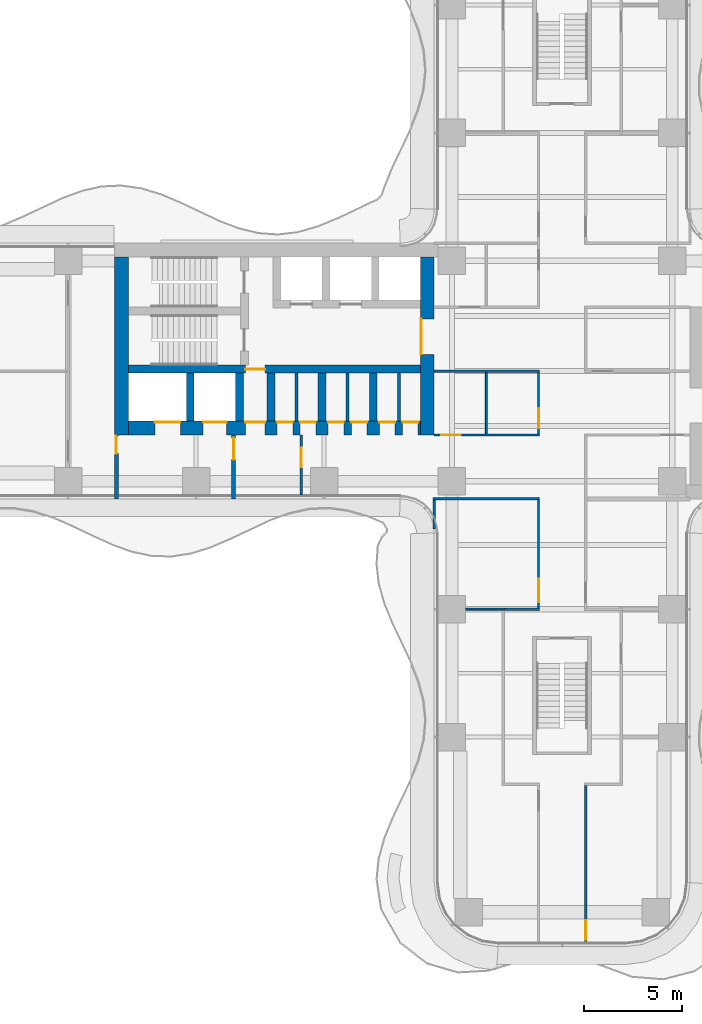
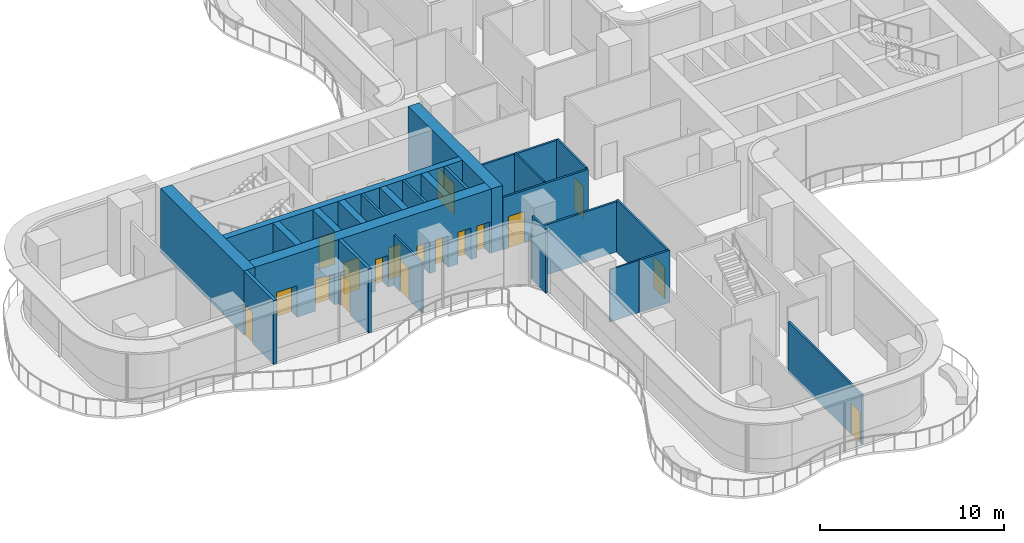
# One storey, part 17 of 23: 25 walls, 18 doors, 18 openings.
"""IFC4 building model written with IfcOpenShell, lengths in metres."""

from ifc_helpers import new_model, si_unit, direction, frame, frame_2d, origin, place, context, subcontext, project, spatial, rectangle, extrude, source, transform, mapped, material, layer, layer_set, type_object, element, fill, save


model = new_model("IFC4")

# Units and contexts
model_context = context("Model", 3, precision=1e-05, world=origin(), true_north=direction((0.0, 1.0)))
body_context = subcontext(model_context, "Body", "Model", "MODEL_VIEW")
ifc_project = project(units=[si_unit("LENGTHUNIT", "METRE"), si_unit("AREAUNIT", "SQUARE_METRE"), si_unit("VOLUMEUNIT", "CUBIC_METRE"), si_unit("PLANEANGLEUNIT", "RADIAN"), si_unit("MASSUNIT", "GRAM", prefix="KILO")], contexts=[model_context])

# Site, building, storey
site_placement = place(None, origin())
site = spatial("IfcSite", under=ifc_project, at=site_placement, CompositionType="ELEMENT")
building_placement = place(site_placement, origin())
building = spatial("IfcBuilding", under=site, at=building_placement, Name="Trellis Farm Tower", CompositionType="ELEMENT")
storey_placement = place(building_placement, frame((0.0, 0.0, 83.5)))
storey = spatial("IfcBuildingStorey", under=building, at=storey_placement, Name="L17", CompositionType="ELEMENT", Elevation=83.5)

# Wall, opening, door
ifc_material_1 = material(Name="Concrete C80/95", Category="concrete")
ifc_layer_1 = layer(ifc_material_1, 0.699951171875)
ifc_layer_set_1 = layer_set([ifc_layer_1], Name="CORE OUTER WALL 700 CONCRETE C80/95")
wall_type_1 = type_object("IfcWallType", Name="CORE OUTER WALL 700 CONCRETE C80/95", PredefinedType="SHEAR", material=ifc_layer_set_1)
shared_shape_1 = source(origin(), body_context, "Body", "SweptSolid", [
    extrude(rectangle(XDim=9.050048828125, YDim=0.699951171875, at=frame_2d((4.52490234375, 0.0))), origin(), (0.0, 0.0, 1.0), 4.25),
])
wall_1_placement = place(storey_placement, frame((-6.85009765625, 5.800048828125, 0.0), z_axis=(0.0, 0.0, 1.0), x_axis=(0.0, -1.0, 0.0)))
wall_1 = element("IfcWall", 1, at=wall_1_placement, inside=storey, type_object=wall_type_1, Name="Core wall", PredefinedType="SHEAR", context=body_context, shape_type="MappedRepresentation", body=[
    mapped(shared_shape_1, transform((0.0, 0.0, 0.0))),
])
shared_shape_2 = source(origin(), body_context, "Body", "SweptSolid", [
    extrude(rectangle(XDim=1.800048828125, YDim=2.10009765625, at=frame_2d((0.89990234375, 1.050048828125))), frame((0.0, 0.360107421875, 0.0), z_axis=(0.0, -1.0, 0.0), x_axis=(1.0, 0.0, 0.0)), (0.0, 0.0, 1.0), 0.72021484375),
])
opening_1_placement = place(wall_1_placement, frame((3.14990234375, 0.0, 0.0)))
opening_1 = element("IfcOpeningElement", 2, at=opening_1_placement, cuts=wall_1, Name="Opening DC87", PredefinedType="OPENING", context=body_context, shape_type="MappedRepresentation", body=[
    mapped(shared_shape_2, transform((0.0, 0.0, 0.0))),
])
ifc_material_2 = material(Name="Steel", Category="steel")
door_type_1 = type_object("IfcDoorType", Name="CORE FIRE DOOR DOUBLE 1800 X 2100", OperationType="DOUBLE_DOOR_SINGLE_SWING", PredefinedType="DOOR", material=ifc_material_2)
shared_shape_3 = source(origin(), body_context, "Body", "SweptSolid", [
    extrude(rectangle(XDim=1.800048828125, YDim=2.10009765625, at=frame_2d((0.89990234375, 1.050048828125))), frame((0.0, -0.27490234375, 0.0), z_axis=(0.0, -1.0, 0.0), x_axis=(1.0, 0.0, 0.0)), (0.0, 0.0, 1.0), 0.050048828125),
])
door_1_placement = place(opening_1_placement, origin())
door_1 = element("IfcDoor", 3, at=door_1_placement, inside=storey, type_object=door_type_1, Name="Core door", OperationType="DOUBLE_DOOR_SINGLE_SWING", OverallHeight=2.10009765625, OverallWidth=1.800048828125, PredefinedType="DOOR", context=body_context, shape_type="MappedRepresentation", body=[
    mapped(shared_shape_3, transform((0.0, 0.0, 0.0))),
])
fill(opening_1, door_1)

# Walls
wall_2_placement = place(storey_placement, frame((-22.39990234375, 5.800048828125, 0.0), z_axis=(0.0, 0.0, 1.0), x_axis=(0.0, -1.0, 0.0)))
element("IfcWall", 4, at=wall_2_placement, inside=storey, type_object=wall_type_1, Name="Core wall", PredefinedType="SHEAR", context=body_context, shape_type="MappedRepresentation", body=[
    mapped(shared_shape_1, transform((0.0, 0.0, 0.0))),
])
ifc_layer_2 = layer(ifc_material_1, 0.39990234375)
ifc_layer_set_2 = layer_set([ifc_layer_2], Name="CORE INNER WALL 400 CONCRETE C80/95")
wall_type_2 = type_object("IfcWallType", Name="CORE INNER WALL 400 CONCRETE C80/95", PredefinedType="SHEAR", material=ifc_layer_set_2)
shared_shape_4 = source(origin(), body_context, "Body", "SweptSolid", [
    extrude(rectangle(XDim=2.449951171875, YDim=0.39990234375, at=frame_2d((1.22509765625, 0.0))), origin(), (0.0, 0.0, 1.0), 4.25),
])
for number, where, z_axis, x_axis, name in (
    (5, (-9.60009765625, -0.10009765625, 0.0), (0.0, 0.0, 1.0), (0.0, -1.0, 0.0), "Core wall"),
    (6, (-12.199951171875, -0.10009765625, 0.0), (0.0, 0.0, 1.0), (0.0, -1.0, 0.0), "Core wall"),
    (7, (-14.800048828125, -0.10009765625, 0.0), (0.0, 0.0, 1.0), (0.0, -1.0, 0.0), "Core wall"),
    (8, (-16.39990234375, -0.10009765625, 0.0), (0.0, 0.0, 1.0), (0.0, -1.0, 0.0), "Core wall"),
    (9, (-18.89990234375, -0.10009765625, 0.0), (0.0, 0.0, 1.0), (0.0, -1.0, 0.0), "Core wall"),
):
    element("IfcWall", number, at=place(storey_placement, frame(where, z_axis=z_axis, x_axis=x_axis)), inside=storey, type_object=wall_type_2, Name=name, PredefinedType="SHEAR", context=body_context, shape_type="MappedRepresentation", body=[
        mapped(shared_shape_4, transform((0.0, 0.0, 0.0))),
    ])

# Wall, opening, door
ifc_material_3 = material(Name="Masonry blockwork", Category="masonry")
ifc_layer_3 = layer(ifc_material_3, 0.199951171875)
ifc_layer_set_3 = layer_set([ifc_layer_3], Name="FIRE LOBBY PARTITION 200 BLOCKWORK")
wall_type_3 = type_object("IfcWallType", Name="FIRE LOBBY PARTITION 200 BLOCKWORK", PredefinedType="PARTITIONING", material=ifc_layer_set_3)
shared_shape_5 = source(origin(), body_context, "Body", "SweptSolid", [
    extrude(rectangle(XDim=3.25, YDim=0.199951171875, at=frame_2d((1.625, 0.0))), origin(), (0.0, 0.0, 1.0), 4.25),
])
wall_3_placement = place(storey_placement, frame((-16.699951171875, -3.25, 0.0), z_axis=(0.0, 0.0, 1.0), x_axis=(0.0, -1.0, 0.0)))
wall_3 = element("IfcWall", 10, at=wall_3_placement, inside=storey, type_object=wall_type_3, Name="Fire-fighting lobby partition", PredefinedType="PARTITIONING", context=body_context, shape_type="MappedRepresentation", body=[
    mapped(shared_shape_5, transform((0.0, 0.0, 0.0))),
])
shared_shape_6 = source(origin(), body_context, "Body", "SweptSolid", [
    extrude(rectangle(XDim=1.10009765625, YDim=2.10009765625, at=frame_2d((0.550048828125, 1.050048828125))), frame((0.0, 0.110107421875, 0.0), z_axis=(0.0, -1.0, 0.0), x_axis=(1.0, 0.0, 0.0)), (0.0, 0.0, 1.0), 0.22021484375),
])
opening_2_placement = place(wall_3_placement, frame((0.14990234375, 0.0, 0.0)))
opening_2 = element("IfcOpeningElement", 11, at=opening_2_placement, cuts=wall_3, Name="Opening DC93", PredefinedType="OPENING", context=body_context, shape_type="MappedRepresentation", body=[
    mapped(shared_shape_6, transform((0.0, 0.0, 0.0))),
])
door_type_2 = type_object("IfcDoorType", Name="CORE FIRE DOOR 1100 X 2100", OperationType="NOTDEFINED", PredefinedType="DOOR", material=ifc_material_2)
shared_shape_7 = source(origin(), body_context, "Body", "SweptSolid", [
    extrude(rectangle(XDim=1.10009765625, YDim=2.10009765625, at=frame_2d((0.550048828125, 1.050048828125))), frame((0.0, 0.02490234375, 0.0), z_axis=(0.0, -1.0, 0.0), x_axis=(1.0, 0.0, 0.0)), (0.0, 0.0, 1.0), 0.050048828125),
])
door_2_placement = place(opening_2_placement, origin())
door_2 = element("IfcDoor", 12, at=door_2_placement, inside=storey, type_object=door_type_2, Name="Core door", OperationType="SINGLE_SWING_RIGHT", OverallHeight=2.10009765625, OverallWidth=1.10009765625, PredefinedType="DOOR", context=body_context, shape_type="MappedRepresentation", body=[
    mapped(shared_shape_7, transform((0.0, 0.0, 0.0))),
])
fill(opening_2, door_2)

wall_4_placement = place(storey_placement, frame((-22.64990234375, -3.25, 0.0), z_axis=(0.0, 0.0, 1.0), x_axis=(0.0, -1.0, 0.0)))
wall_4 = element("IfcWall", 13, at=wall_4_placement, inside=storey, type_object=wall_type_3, Name="Fire-fighting lobby partition", PredefinedType="PARTITIONING", context=body_context, shape_type="MappedRepresentation", body=[
    mapped(shared_shape_5, transform((0.0, 0.0, 0.0))),
])
shared_shape_8 = source(origin(), body_context, "Body", "SweptSolid", [
    extrude(rectangle(XDim=0.89990234375, YDim=2.10009765625, at=frame_2d((0.449951171875, 1.050048828125))), frame((0.0, 0.110107421875, 0.0), z_axis=(0.0, -1.0, 0.0), x_axis=(1.0, 0.0, 0.0)), (0.0, 0.0, 1.0), 0.22021484375),
])
opening_3_placement = place(wall_4_placement, frame((0.050048828125, 0.0, 0.0)))
opening_3 = element("IfcOpeningElement", 14, at=opening_3_placement, cuts=wall_4, Name="Opening DC94", PredefinedType="OPENING", context=body_context, shape_type="MappedRepresentation", body=[
    mapped(shared_shape_8, transform((0.0, 0.0, 0.0))),
])
door_type_3 = type_object("IfcDoorType", Name="CORE FIRE DOOR 900 X 2100", OperationType="NOTDEFINED", PredefinedType="DOOR", material=ifc_material_2)
shared_shape_9 = source(origin(), body_context, "Body", "SweptSolid", [
    extrude(rectangle(XDim=0.89990234375, YDim=2.10009765625, at=frame_2d((0.449951171875, 1.050048828125))), frame((0.0, 0.02490234375, 0.0), z_axis=(0.0, -1.0, 0.0), x_axis=(1.0, 0.0, 0.0)), (0.0, 0.0, 1.0), 0.050048828125),
])
door_3_placement = place(opening_3_placement, origin())
door_3 = element("IfcDoor", 15, at=door_3_placement, inside=storey, type_object=door_type_3, Name="Core door", OperationType="SINGLE_SWING_RIGHT", OverallHeight=2.10009765625, OverallWidth=0.89990234375, PredefinedType="DOOR", context=body_context, shape_type="MappedRepresentation", body=[
    mapped(shared_shape_9, transform((0.0, 0.0, 0.0))),
])
fill(opening_3, door_3)

# Wall, openings, doors
shared_shape_10 = source(origin(), body_context, "Body", "SweptSolid", [
    extrude(rectangle(XDim=14.85009765625, YDim=0.699951171875, at=frame_2d((7.425048828125, 0.0))), origin(), (0.0, 0.0, 1.0), 4.25),
])
wall_5_placement = place(storey_placement, frame((-7.199951171875, -2.89990234375, 0.0), z_axis=(0.0, 0.0, 1.0), x_axis=(-1.0, 0.0, 0.0)))
wall_5 = element("IfcWall", 16, at=wall_5_placement, inside=storey, type_object=wall_type_1, Name="Core wall", PredefinedType="SHEAR", context=body_context, shape_type="MappedRepresentation", body=[
    mapped(shared_shape_10, transform((0.0, 0.0, 0.0))),
])
shared_shape_11 = source(origin(), body_context, "Body", "SweptSolid", [
    extrude(rectangle(XDim=1.300048828125, YDim=2.10009765625, at=frame_2d((0.64990234375, 1.050048828125))), frame((0.0, 0.360107421875, 0.0), z_axis=(0.0, -1.0, 0.0), x_axis=(1.0, 0.0, 0.0)), (0.0, 0.0, 1.0), 0.72021484375),
])
opening_4_placement = place(wall_5_placement, frame((12.199951171875, 0.0, 0.0)))
opening_4 = element("IfcOpeningElement", 17, at=opening_4_placement, cuts=wall_5, Name="Opening LD15", PredefinedType="OPENING", context=body_context, shape_type="MappedRepresentation", body=[
    mapped(shared_shape_11, transform((0.0, 0.0, 0.0))),
])
shared_shape_12 = source(origin(), body_context, "Body", "SweptSolid", [
    extrude(rectangle(XDim=1.199951171875, YDim=2.10009765625, at=frame_2d((0.60009765625, 1.050048828125))), frame((0.0, 0.360107421875, 0.0), z_axis=(0.0, -1.0, 0.0), x_axis=(1.0, 0.0, 0.0)), (0.0, 0.0, 1.0), 0.72021484375),
])
opening_5_placement = place(wall_5_placement, frame((9.85009765625, 0.0, 0.0)))
opening_5 = element("IfcOpeningElement", 18, at=opening_5_placement, cuts=wall_5, Name="Opening LD16", PredefinedType="OPENING", context=body_context, shape_type="MappedRepresentation", body=[
    mapped(shared_shape_12, transform((0.0, 0.0, 0.0))),
])
shared_shape_13 = source(origin(), body_context, "Body", "SweptSolid", [
    extrude(rectangle(XDim=1.0, YDim=2.10009765625, at=frame_2d((0.5, 1.050048828125))), frame((0.0, 0.360107421875, 0.0), z_axis=(0.0, -1.0, 0.0), x_axis=(1.0, 0.0, 0.0)), (0.0, 0.0, 1.0), 0.72021484375),
])
opening_6_placement = place(wall_5_placement, frame((7.89990234375, 0.0, 0.0)))
opening_6 = element("IfcOpeningElement", 19, at=opening_6_placement, cuts=wall_5, Name="Opening DC92", PredefinedType="OPENING", context=body_context, shape_type="MappedRepresentation", body=[
    mapped(shared_shape_13, transform((0.0, 0.0, 0.0))),
])
shared_shape_14 = source(origin(), body_context, "Body", "SweptSolid", [
    extrude(rectangle(XDim=0.800048828125, YDim=2.10009765625, at=frame_2d((0.39990234375, 1.050048828125))), frame((0.0, 0.360107421875, 0.0), z_axis=(0.0, -1.0, 0.0), x_axis=(1.0, 0.0, 0.0)), (0.0, 0.0, 1.0), 0.72021484375),
])
opening_7_placement = place(wall_5_placement, frame((0.112548828125, 0.0, 0.0)))
opening_7 = element("IfcOpeningElement", 20, at=opening_7_placement, cuts=wall_5, Name="Opening DC95", PredefinedType="OPENING", context=body_context, shape_type="MappedRepresentation", body=[
    mapped(shared_shape_14, transform((0.0, 0.0, 0.0))),
])
opening_8_placement = place(wall_5_placement, frame((1.28759765625, 0.0, 0.0)))
opening_8 = element("IfcOpeningElement", 21, at=opening_8_placement, cuts=wall_5, Name="Opening DC102", PredefinedType="OPENING", context=body_context, shape_type="MappedRepresentation", body=[
    mapped(shared_shape_14, transform((0.0, 0.0, 0.0))),
])
opening_9_placement = place(wall_5_placement, frame((2.71240234375, 0.0, 0.0)))
opening_9 = element("IfcOpeningElement", 22, at=opening_9_placement, cuts=wall_5, Name="Opening DC107", PredefinedType="OPENING", context=body_context, shape_type="MappedRepresentation", body=[
    mapped(shared_shape_14, transform((0.0, 0.0, 0.0))),
])
opening_10_placement = place(wall_5_placement, frame((3.887451171875, 0.0, 0.0)))
opening_10 = element("IfcOpeningElement", 23, at=opening_10_placement, cuts=wall_5, Name="Opening DC114", PredefinedType="OPENING", context=body_context, shape_type="MappedRepresentation", body=[
    mapped(shared_shape_14, transform((0.0, 0.0, 0.0))),
])
opening_11_placement = place(wall_5_placement, frame((5.3125, 0.0, 0.0)))
opening_11 = element("IfcOpeningElement", 24, at=opening_11_placement, cuts=wall_5, Name="Opening DC119", PredefinedType="OPENING", context=body_context, shape_type="MappedRepresentation", body=[
    mapped(shared_shape_14, transform((0.0, 0.0, 0.0))),
])
opening_12_placement = place(wall_5_placement, frame((6.487548828125, 0.0, 0.0)))
opening_12 = element("IfcOpeningElement", 25, at=opening_12_placement, cuts=wall_5, Name="Opening DC126", PredefinedType="OPENING", context=body_context, shape_type="MappedRepresentation", body=[
    mapped(shared_shape_14, transform((0.0, 0.0, 0.0))),
])
door_type_4 = type_object("IfcDoorType", Name="CORE FIRE DOOR 1000 X 2100", OperationType="NOTDEFINED", PredefinedType="DOOR", material=ifc_material_2)
shared_shape_15 = source(origin(), body_context, "Body", "SweptSolid", [
    extrude(rectangle(XDim=1.0, YDim=2.10009765625, at=frame_2d((0.5, 1.050048828125))), frame((0.0, -0.27490234375, 0.0), z_axis=(0.0, -1.0, 0.0), x_axis=(1.0, 0.0, 0.0)), (0.0, 0.0, 1.0), 0.050048828125),
])
door_4_placement = place(opening_6_placement, origin())
door_4 = element("IfcDoor", 26, at=door_4_placement, inside=storey, type_object=door_type_4, Name="Core door", OperationType="SINGLE_SWING_LEFT", OverallHeight=2.10009765625, OverallWidth=1.0, PredefinedType="DOOR", context=body_context, shape_type="MappedRepresentation", body=[
    mapped(shared_shape_15, transform((0.0, 0.0, 0.0))),
])
fill(opening_6, door_4)
ifc_material_4 = material(Name="Stainless steel", Category="steel")
door_type_5 = type_object("IfcDoorType", Name="LIFT LANDING DOOR 1300 X 2100", OperationType="DOUBLE_DOOR_SLIDING", PredefinedType="DOOR", material=ifc_material_4)
shared_shape_16 = source(origin(), body_context, "Body", "SweptSolid", [
    extrude(rectangle(XDim=1.300048828125, YDim=2.10009765625, at=frame_2d((0.64990234375, 1.050048828125))), frame((0.0, -0.27490234375, 0.0), z_axis=(0.0, -1.0, 0.0), x_axis=(1.0, 0.0, 0.0)), (0.0, 0.0, 1.0), 0.050048828125),
])
door_5_placement = place(opening_4_placement, origin())
door_5 = element("IfcDoor", 27, at=door_5_placement, inside=storey, type_object=door_type_5, Name="Lift landing door", OperationType="DOUBLE_DOOR_SLIDING", OverallHeight=2.10009765625, OverallWidth=1.300048828125, PredefinedType="DOOR", context=body_context, shape_type="MappedRepresentation", body=[
    mapped(shared_shape_16, transform((0.0, 0.0, 0.0))),
])
fill(opening_4, door_5)
door_type_6 = type_object("IfcDoorType", Name="LIFT LANDING DOOR 1200 X 2100", OperationType="DOUBLE_DOOR_SLIDING", PredefinedType="DOOR", material=ifc_material_4)
shared_shape_17 = source(origin(), body_context, "Body", "SweptSolid", [
    extrude(rectangle(XDim=1.199951171875, YDim=2.10009765625, at=frame_2d((0.60009765625, 1.050048828125))), frame((0.0, -0.27490234375, 0.0), z_axis=(0.0, -1.0, 0.0), x_axis=(1.0, 0.0, 0.0)), (0.0, 0.0, 1.0), 0.050048828125),
])
door_6_placement = place(opening_5_placement, origin())
door_6 = element("IfcDoor", 28, at=door_6_placement, inside=storey, type_object=door_type_6, Name="Lift landing door", OperationType="DOUBLE_DOOR_SLIDING", OverallHeight=2.10009765625, OverallWidth=1.199951171875, PredefinedType="DOOR", context=body_context, shape_type="MappedRepresentation", body=[
    mapped(shared_shape_17, transform((0.0, 0.0, 0.0))),
])
fill(opening_5, door_6)
door_type_7 = type_object("IfcDoorType", Name="CORE FIRE DOOR 800 X 2100", OperationType="NOTDEFINED", PredefinedType="DOOR", material=ifc_material_2)
shared_shape_18 = source(origin(), body_context, "Body", "SweptSolid", [
    extrude(rectangle(XDim=0.800048828125, YDim=2.10009765625, at=frame_2d((0.39990234375, 1.050048828125))), frame((0.0, -0.27490234375, 0.0), z_axis=(0.0, -1.0, 0.0), x_axis=(1.0, 0.0, 0.0)), (0.0, 0.0, 1.0), 0.050048828125),
])
door_7_placement = place(opening_7_placement, origin())
door_7 = element("IfcDoor", 29, at=door_7_placement, inside=storey, type_object=door_type_7, Name="Core door", OperationType="SINGLE_SWING_LEFT", OverallHeight=2.10009765625, OverallWidth=0.800048828125, PredefinedType="DOOR", context=body_context, shape_type="MappedRepresentation", body=[
    mapped(shared_shape_18, transform((0.0, 0.0, 0.0))),
])
fill(opening_7, door_7)
door_8_placement = place(opening_8_placement, origin())
door_8 = element("IfcDoor", 30, at=door_8_placement, inside=storey, type_object=door_type_7, Name="Core door", OperationType="SINGLE_SWING_RIGHT", OverallHeight=2.10009765625, OverallWidth=0.800048828125, PredefinedType="DOOR", context=body_context, shape_type="MappedRepresentation", body=[
    mapped(shared_shape_18, transform((0.0, 0.0, 0.0))),
])
fill(opening_8, door_8)
door_9_placement = place(opening_9_placement, origin())
door_9 = element("IfcDoor", 31, at=door_9_placement, inside=storey, type_object=door_type_7, Name="Core door", OperationType="SINGLE_SWING_LEFT", OverallHeight=2.10009765625, OverallWidth=0.800048828125, PredefinedType="DOOR", context=body_context, shape_type="MappedRepresentation", body=[
    mapped(shared_shape_18, transform((0.0, 0.0, 0.0))),
])
fill(opening_9, door_9)
door_10_placement = place(opening_10_placement, origin())
door_10 = element("IfcDoor", 32, at=door_10_placement, inside=storey, type_object=door_type_7, Name="Core door", OperationType="SINGLE_SWING_RIGHT", OverallHeight=2.10009765625, OverallWidth=0.800048828125, PredefinedType="DOOR", context=body_context, shape_type="MappedRepresentation", body=[
    mapped(shared_shape_18, transform((0.0, 0.0, 0.0))),
])
fill(opening_10, door_10)
door_11_placement = place(opening_11_placement, origin())
door_11 = element("IfcDoor", 33, at=door_11_placement, inside=storey, type_object=door_type_7, Name="Core door", OperationType="SINGLE_SWING_LEFT", OverallHeight=2.10009765625, OverallWidth=0.800048828125, PredefinedType="DOOR", context=body_context, shape_type="MappedRepresentation", body=[
    mapped(shared_shape_18, transform((0.0, 0.0, 0.0))),
])
fill(opening_11, door_11)
door_12_placement = place(opening_12_placement, origin())
door_12 = element("IfcDoor", 34, at=door_12_placement, inside=storey, type_object=door_type_7, Name="Core door", OperationType="SINGLE_SWING_RIGHT", OverallHeight=2.10009765625, OverallWidth=0.800048828125, PredefinedType="DOOR", context=body_context, shape_type="MappedRepresentation", body=[
    mapped(shared_shape_18, transform((0.0, 0.0, 0.0))),
])
fill(opening_12, door_12)

# Wall, opening, door
shared_shape_19 = source(origin(), body_context, "Body", "SweptSolid", [
    extrude(rectangle(XDim=14.85009765625, YDim=0.39990234375, at=frame_2d((7.425048828125, 0.0))), origin(), (0.0, 0.0, 1.0), 4.25),
])
wall_6_placement = place(storey_placement, frame((-7.199951171875, 0.10009765625, 0.0), z_axis=(0.0, 0.0, 1.0), x_axis=(-1.0, 0.0, 0.0)))
wall_6 = element("IfcWall", 35, at=wall_6_placement, inside=storey, type_object=wall_type_2, Name="Core wall", PredefinedType="SHEAR", context=body_context, shape_type="MappedRepresentation", body=[
    mapped(shared_shape_19, transform((0.0, 0.0, 0.0))),
])
shared_shape_20 = source(origin(), body_context, "Body", "SweptSolid", [
    extrude(rectangle(XDim=1.0, YDim=2.10009765625, at=frame_2d((0.5, 1.050048828125))), frame((0.0, 0.2099609375, 0.0), z_axis=(0.0, -1.0, 0.0), x_axis=(1.0, 0.0, 0.0)), (0.0, 0.0, 1.0), 0.419921875),
])
opening_13_placement = place(wall_6_placement, frame((7.89990234375, 0.0, 0.0)))
opening_13 = element("IfcOpeningElement", 36, at=opening_13_placement, cuts=wall_6, Name="Opening DC91", PredefinedType="OPENING", context=body_context, shape_type="MappedRepresentation", body=[
    mapped(shared_shape_20, transform((0.0, 0.0, 0.0))),
])
shared_shape_21 = source(origin(), body_context, "Body", "SweptSolid", [
    extrude(rectangle(XDim=1.0, YDim=2.10009765625, at=frame_2d((0.5, 1.050048828125))), frame((0.0, 0.02490234375, 0.0), z_axis=(0.0, -1.0, 0.0), x_axis=(1.0, 0.0, 0.0)), (0.0, 0.0, 1.0), 0.050048828125),
])
door_13_placement = place(opening_13_placement, origin())
door_13 = element("IfcDoor", 37, at=door_13_placement, inside=storey, type_object=door_type_4, Name="Core door", OperationType="SINGLE_SWING_RIGHT", OverallHeight=2.10009765625, OverallWidth=1.0, PredefinedType="DOOR", context=body_context, shape_type="MappedRepresentation", body=[
    mapped(shared_shape_21, transform((0.0, 0.0, 0.0))),
])
fill(opening_13, door_13)

# Walls
ifc_layer_4 = layer(ifc_material_3, 0.14990234375)
ifc_layer_set_4 = layer_set([ifc_layer_4], Name="CORE PARTITION 150 BLOCKWORK")
wall_type_4 = type_object("IfcWallType", Name="CORE PARTITION 150 BLOCKWORK", PredefinedType="PARTITIONING", material=ifc_layer_set_4)
shared_shape_22 = source(origin(), body_context, "Body", "SweptSolid", [
    extrude(rectangle(XDim=2.449951171875, YDim=0.14990234375, at=frame_2d((1.22509765625, 0.0))), origin(), (0.0, 0.0, 1.0), 4.25),
])
for number, where, z_axis, x_axis, name in (
    (38, (-8.300048828125, -0.10009765625, 0.0), (0.0, 0.0, 1.0), (0.0, -1.0, 0.0), "Core room partition"),
    (39, (-10.89990234375, -0.10009765625, 0.0), (0.0, 0.0, 1.0), (0.0, -1.0, 0.0), "Core room partition"),
    (40, (-13.5, -0.10009765625, 0.0), (0.0, 0.0, 1.0), (0.0, -1.0, 0.0), "Core room partition"),
):
    element("IfcWall", number, at=place(storey_placement, frame(where, z_axis=z_axis, x_axis=x_axis)), inside=storey, type_object=wall_type_4, Name=name, PredefinedType="PARTITIONING", context=body_context, shape_type="MappedRepresentation", body=[
        mapped(shared_shape_22, transform((0.0, 0.0, 0.0))),
    ])

# Wall, opening, door
ifc_material_5 = material(Name="Plasterboard on steel studs, mineral wool", Category="steel")
ifc_layer_5 = layer(ifc_material_5, 0.125)
ifc_layer_set_5 = layer_set([ifc_layer_5], Name="PARTITION 125 STUD EI 60")
wall_type_5 = type_object("IfcWallType", Name="PARTITION 125 STUD EI 60", PredefinedType="PARTITIONING", material=ifc_layer_set_5)
shared_shape_23 = source(origin(), body_context, "Body", "SweptSolid", [
    extrude(rectangle(XDim=3.125, YDim=0.125, at=frame_2d((1.5625, 0.0))), origin(), (0.0, 0.0, 1.0), 3.54638671875),
])
wall_7_placement = place(storey_placement, frame((-1.199951171875, -0.0625, 0.0), z_axis=(0.0, 0.0, 1.0), x_axis=(0.0, -1.0, 0.0)))
wall_7 = element("IfcWall", 41, at=wall_7_placement, inside=storey, type_object=wall_type_5, Name="Partition PW1", PredefinedType="PARTITIONING", context=body_context, shape_type="MappedRepresentation", body=[
    mapped(shared_shape_23, transform((0.0, 0.0, 0.0))),
])
shared_shape_24 = source(origin(), body_context, "Body", "SweptSolid", [
    extrude(rectangle(XDim=1.0, YDim=2.10009765625, at=frame_2d((0.5, 1.050048828125))), frame((0.0, 0.072509765625, 0.0), z_axis=(0.0, -1.0, 0.0), x_axis=(1.0, 0.0, 0.0)), (0.0, 0.0, 1.0), 0.14501953125),
])
opening_14_placement = place(wall_7_placement, frame((1.83740234375, 0.0, 0.0)))
opening_14 = element("IfcOpeningElement", 42, at=opening_14_placement, cuts=wall_7, Name="Opening D105", PredefinedType="OPENING", context=body_context, shape_type="MappedRepresentation", body=[
    mapped(shared_shape_24, transform((0.0, 0.0, 0.0))),
])
ifc_material_6 = material(Name="Fire-rated timber door leaf in a hollow metal frame", Category="wood")
door_type_8 = type_object("IfcDoorType", Name="DOOR 1000x2100 FD30S", OperationType="NOTDEFINED", PredefinedType="DOOR", material=ifc_material_6)
door_14_placement = place(opening_14_placement, origin())
door_14 = element("IfcDoor", 43, at=door_14_placement, inside=storey, type_object=door_type_8, Name="Door D105", OperationType="SINGLE_SWING_RIGHT", OverallHeight=2.10009765625, OverallWidth=1.0, PredefinedType="DOOR", context=body_context, shape_type="MappedRepresentation", body=[
    mapped(shared_shape_21, transform((0.0, 0.0, 0.0))),
])
fill(opening_14, door_14)

shared_shape_25 = source(origin(), body_context, "Body", "SweptSolid", [
    extrude(rectangle(XDim=5.47509765625, YDim=0.125, at=frame_2d((2.737548828125, 0.0))), origin(), (0.0, 0.0, 1.0), 3.4677734375),
])
wall_8_placement = place(storey_placement, frame((-1.199951171875, -6.5625, 0.0), z_axis=(0.0, 0.0, 1.0), x_axis=(0.0, -1.0, 0.0)))
wall_8 = element("IfcWall", 44, at=wall_8_placement, inside=storey, type_object=wall_type_5, Name="Partition PW1", PredefinedType="PARTITIONING", context=body_context, shape_type="MappedRepresentation", body=[
    mapped(shared_shape_25, transform((0.0, 0.0, 0.0))),
])
shared_shape_26 = source(origin(), body_context, "Body", "SweptSolid", [
    extrude(rectangle(XDim=1.199951171875, YDim=2.10009765625, at=frame_2d((0.60009765625, 1.050048828125))), frame((0.0, 0.072509765625, 0.0), z_axis=(0.0, -1.0, 0.0), x_axis=(1.0, 0.0, 0.0)), (0.0, 0.0, 1.0), 0.14501953125),
])
opening_15_placement = place(wall_8_placement, frame((3.987548828125, 0.0, 0.0)))
opening_15 = element("IfcOpeningElement", 45, at=opening_15_placement, cuts=wall_8, Name="Opening D601", PredefinedType="OPENING", context=body_context, shape_type="MappedRepresentation", body=[
    mapped(shared_shape_26, transform((0.0, 0.0, 0.0))),
])
door_type_9 = type_object("IfcDoorType", Name="DOOR 1200x2100 FD30S", OperationType="NOTDEFINED", PredefinedType="DOOR", material=ifc_material_6)
shared_shape_27 = source(origin(), body_context, "Body", "SweptSolid", [
    extrude(rectangle(XDim=1.199951171875, YDim=2.10009765625, at=frame_2d((0.60009765625, 1.050048828125))), frame((0.0, 0.02490234375, 0.0), z_axis=(0.0, -1.0, 0.0), x_axis=(1.0, 0.0, 0.0)), (0.0, 0.0, 1.0), 0.050048828125),
])
door_15_placement = place(opening_15_placement, origin())
door_15 = element("IfcDoor", 46, at=door_15_placement, inside=storey, type_object=door_type_9, Name="Door D601", OperationType="SINGLE_SWING_RIGHT", OverallHeight=2.10009765625, OverallWidth=1.199951171875, PredefinedType="DOOR", context=body_context, shape_type="MappedRepresentation", body=[
    mapped(shared_shape_27, transform((0.0, 0.0, 0.0))),
])
fill(opening_15, door_15)

# Walls
shared_shape_28 = source(origin(), body_context, "Body", "SweptSolid", [
    extrude(rectangle(XDim=1.468994140625, YDim=0.125, at=frame_2d((0.734375, 0.0))), origin(), (0.0, 0.0, 1.0), 4.25),
])
wall_9_placement = place(storey_placement, frame((-6.5, -6.5625, 0.0), z_axis=(0.0, 0.0, 1.0), x_axis=(0.0, -1.0, 0.0)))
element("IfcWall", 47, at=wall_9_placement, inside=storey, type_object=wall_type_5, Name="Partition PW1", PredefinedType="PARTITIONING", context=body_context, shape_type="MappedRepresentation", body=[
    mapped(shared_shape_28, transform((0.0, 0.0, 0.0))),
])
shared_shape_29 = source(origin(), body_context, "Body", "SweptSolid", [
    extrude(rectangle(XDim=1.925048828125, YDim=0.125, at=frame_2d((0.96240234375, 0.0))), origin(), (0.0, 0.0, 1.0), 3.4677734375),
])
wall_10_placement = place(storey_placement, frame((-3.0625, -12.10009765625, 0.0), z_axis=(0.0, 0.0, 1.0), x_axis=(1.0, 0.0, 0.0)))
element("IfcWall", 48, at=wall_10_placement, inside=storey, type_object=wall_type_5, Name="Partition PW1", PredefinedType="PARTITIONING", context=body_context, shape_type="MappedRepresentation", body=[
    mapped(shared_shape_29, transform((0.0, 0.0, 0.0))),
])

# Wall, opening, door
shared_shape_30 = source(origin(), body_context, "Body", "SweptSolid", [
    extrude(rectangle(XDim=5.362548828125, YDim=0.125, at=frame_2d((2.68115234375, 0.0))), origin(), (0.0, 0.0, 1.0), 3.4677734375),
])
wall_11_placement = place(storey_placement, frame((-1.137451171875, -3.25, 0.0), z_axis=(0.0, 0.0, 1.0), x_axis=(-1.0, 0.0, 0.0)))
wall_11 = element("IfcWall", 49, at=wall_11_placement, inside=storey, type_object=wall_type_5, Name="Partition PW1", PredefinedType="PARTITIONING", context=body_context, shape_type="MappedRepresentation", body=[
    mapped(shared_shape_30, transform((0.0, 0.0, 0.0))),
])
opening_16_placement = place(wall_11_placement, frame((4.012451171875, 0.0, 0.0)))
opening_16 = element("IfcOpeningElement", 50, at=opening_16_placement, cuts=wall_11, Name="Opening D104", PredefinedType="OPENING", context=body_context, shape_type="MappedRepresentation", body=[
    mapped(shared_shape_24, transform((0.0, 0.0, 0.0))),
])
door_16_placement = place(opening_16_placement, origin())
door_16 = element("IfcDoor", 51, at=door_16_placement, inside=storey, type_object=door_type_8, Name="Door D104", OperationType="SINGLE_SWING_RIGHT", OverallHeight=2.10009765625, OverallWidth=1.0, PredefinedType="DOOR", context=body_context, shape_type="MappedRepresentation", body=[
    mapped(shared_shape_21, transform((0.0, 0.0, 0.0))),
])
fill(opening_16, door_16)

# Walls
wall_12_placement = place(storey_placement, frame((-1.137451171875, 0.0, 0.0), z_axis=(0.0, 0.0, 1.0), x_axis=(-1.0, 0.0, 0.0)))
element("IfcWall", 52, at=wall_12_placement, inside=storey, type_object=wall_type_5, Name="Partition PW1", PredefinedType="PARTITIONING", context=body_context, shape_type="MappedRepresentation", body=[
    mapped(shared_shape_30, transform((0.0, 0.0, 0.0))),
])
shared_shape_31 = source(origin(), body_context, "Body", "SweptSolid", [
    extrude(rectangle(XDim=5.425048828125, YDim=0.125, at=frame_2d((2.71240234375, 0.0))), origin(), (0.0, 0.0, 1.0), 3.330078125),
])
wall_13_placement = place(storey_placement, frame((-1.137451171875, -6.5, 0.0), z_axis=(0.0, 0.0, 1.0), x_axis=(-1.0, 0.0, 0.0)))
element("IfcWall", 53, at=wall_13_placement, inside=storey, type_object=wall_type_5, Name="Partition PW1", PredefinedType="PARTITIONING", context=body_context, shape_type="MappedRepresentation", body=[
    mapped(shared_shape_31, transform((0.0, 0.0, 0.0))),
])
ifc_material_7 = material(Name="Plasterboard on steel studs", Category="steel")
ifc_layer_6 = layer(ifc_material_7, 0.10009765625)
ifc_layer_set_6 = layer_set([ifc_layer_6], Name="PARTITION 100 STUD EI 30")
wall_type_6 = type_object("IfcWallType", Name="PARTITION 100 STUD EI 30", PredefinedType="PARTITIONING", material=ifc_layer_set_6)
shared_shape_32 = source(origin(), body_context, "Body", "SweptSolid", [
    extrude(rectangle(XDim=3.125, YDim=0.10009765625, at=frame_2d((1.5625, 0.0))), origin(), (0.0, 0.0, 1.0), 3.54638671875),
])
wall_14_placement = place(storey_placement, frame((-3.85009765625, -3.1875, 0.0), z_axis=(0.0, 0.0, 1.0), x_axis=(0.0, 1.0, 0.0)))
element("IfcWall", 54, at=wall_14_placement, inside=storey, type_object=wall_type_6, Name="Partition PW2", PredefinedType="PARTITIONING", context=body_context, shape_type="MappedRepresentation", body=[
    mapped(shared_shape_32, transform((0.0, 0.0, 0.0))),
])
shared_shape_33 = source(origin(), body_context, "Body", "SweptSolid", [
    extrude(rectangle(XDim=1.96240234375, YDim=0.10009765625, at=frame_2d((0.981201171875, 0.0))), origin(), (0.0, 0.0, 1.0), 3.4677734375),
])
wall_15_placement = place(storey_placement, frame((-4.89990234375, -12.10009765625, 0.0), z_axis=(0.0, 0.0, 1.0), x_axis=(1.0, 0.0, 0.0)))
element("IfcWall", 55, at=wall_15_placement, inside=storey, type_object=wall_type_6, Name="Partition PW2", PredefinedType="PARTITIONING", context=body_context, shape_type="MappedRepresentation", body=[
    mapped(shared_shape_33, transform((0.0, 0.0, 0.0))),
])

# Wall, opening, door
shared_shape_34 = source(origin(), body_context, "Body", "SweptSolid", [
    extrude(rectangle(XDim=7.987548828125, YDim=0.125, at=frame_2d((3.99365234375, 0.0))), origin(), (0.0, 0.0, 1.0), 3.330078125),
])
wall_16_placement = place(storey_placement, frame((1.199951171875, -21.0625, 0.0), z_axis=(0.0, 0.0, 1.0), x_axis=(0.0, -1.0, 0.0)))
wall_16 = element("IfcWall", 56, at=wall_16_placement, inside=storey, type_object=wall_type_5, Name="Partition PW1", PredefinedType="PARTITIONING", context=body_context, shape_type="MappedRepresentation", body=[
    mapped(shared_shape_34, transform((0.0, 0.0, 0.0))),
])
opening_17_placement = place(wall_16_placement, frame((6.83740234375, 0.0, 0.0)))
opening_17 = element("IfcOpeningElement", 57, at=opening_17_placement, cuts=wall_16, Name="Opening D101", PredefinedType="OPENING", context=body_context, shape_type="MappedRepresentation", body=[
    mapped(shared_shape_24, transform((0.0, 0.0, 0.0))),
])
door_17_placement = place(opening_17_placement, origin())
door_17 = element("IfcDoor", 58, at=door_17_placement, inside=storey, type_object=door_type_8, Name="Door D101", OperationType="SINGLE_SWING_RIGHT", OverallHeight=2.10009765625, OverallWidth=1.0, PredefinedType="DOOR", context=body_context, shape_type="MappedRepresentation", body=[
    mapped(shared_shape_21, transform((0.0, 0.0, 0.0))),
])
fill(opening_17, door_17)

shared_shape_35 = source(origin(), body_context, "Body", "SweptSolid", [
    extrude(rectangle(XDim=3.050048828125, YDim=0.125, at=frame_2d((1.52490234375, 0.0))), origin(), (0.0, 0.0, 1.0), 3.330078125),
])
wall_17_placement = place(storey_placement, frame((-13.26708984375, -6.300048828125, 0.0), z_axis=(0.0, 0.0, 1.0), x_axis=(0.0, 1.0, 0.0)))
wall_17 = element("IfcWall", 59, at=wall_17_placement, inside=storey, type_object=wall_type_5, Name="Partition PW1", PredefinedType="PARTITIONING", context=body_context, shape_type="MappedRepresentation", body=[
    mapped(shared_shape_35, transform((0.0, 0.0, 0.0))),
])
opening_18_placement = place(wall_17_placement, frame((1.39990234375, 0.0, 0.0)))
opening_18 = element("IfcOpeningElement", 60, at=opening_18_placement, cuts=wall_17, Name="Opening D303", PredefinedType="OPENING", context=body_context, shape_type="MappedRepresentation", body=[
    mapped(shared_shape_24, transform((0.0, 0.0, 0.0))),
])
door_type_10 = type_object("IfcDoorType", Name="DOOR 1000x2100 FD60", OperationType="NOTDEFINED", PredefinedType="DOOR", material=ifc_material_6)
door_18_placement = place(opening_18_placement, origin())
door_18 = element("IfcDoor", 61, at=door_18_placement, inside=storey, type_object=door_type_10, Name="Door D303", OperationType="SINGLE_SWING_LEFT", OverallHeight=2.10009765625, OverallWidth=1.0, PredefinedType="DOOR", context=body_context, shape_type="MappedRepresentation", body=[
    mapped(shared_shape_21, transform((0.0, 0.0, 0.0))),
])
fill(opening_18, door_18)

save(model, "model.ifc")
